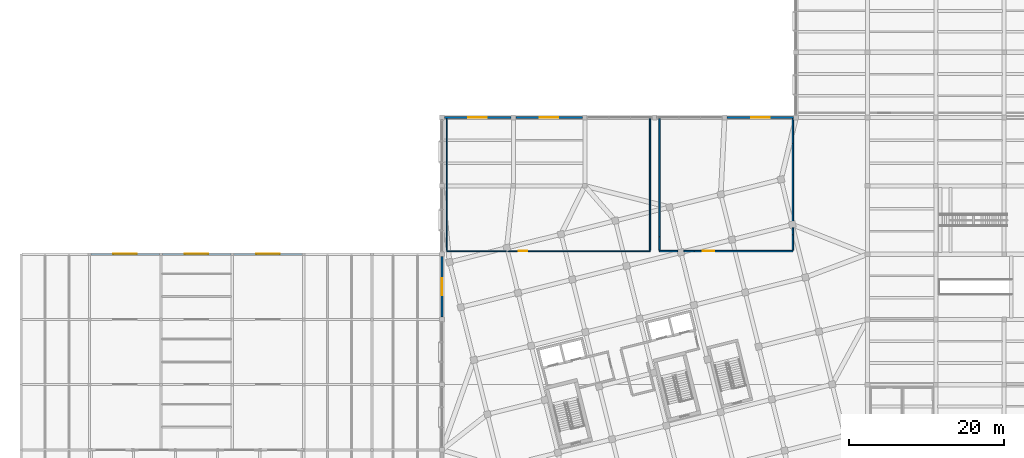
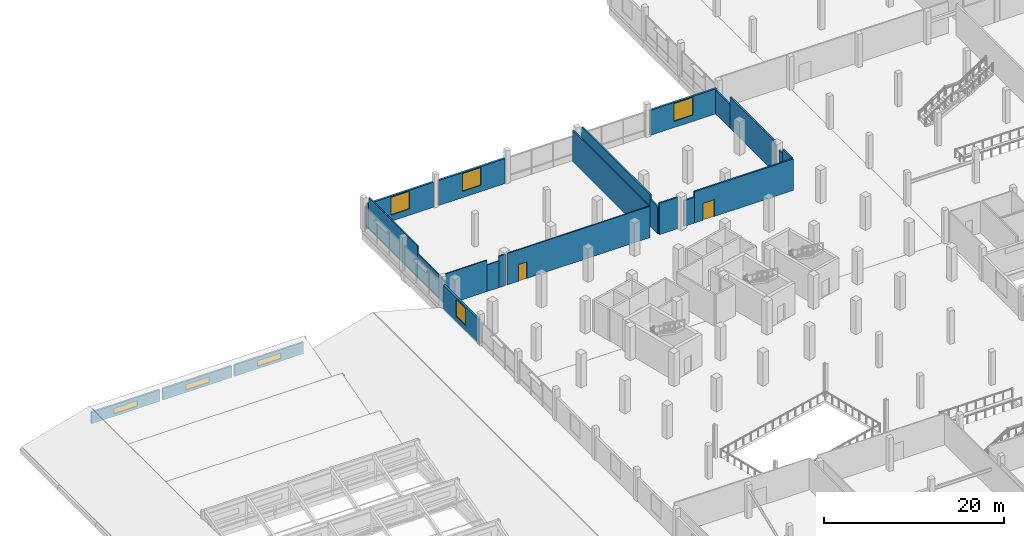
# One storey, part 68 of 77: 23 walls, 7 windows, 2 doors, 9 openings.
"""IFC4 building model written with IfcOpenShell, lengths in metres."""

from ifc_helpers import new_model, si_unit, direction, frame, frame_2d, origin, place, context, subcontext, project, spatial, rectangle, extrude, material, layer, layer_set, type_object, element, fill, save


model = new_model("IFC4")

# Units and contexts
model_context = context("Model", 3, precision=1e-05, world=origin(), true_north=direction((0.0, 1.0)))
body_context = subcontext(model_context, "Body", "Model", "MODEL_VIEW")
ifc_project = project(units=[si_unit("LENGTHUNIT", "METRE"), si_unit("AREAUNIT", "SQUARE_METRE"), si_unit("VOLUMEUNIT", "CUBIC_METRE"), si_unit("PLANEANGLEUNIT", "RADIAN"), si_unit("MASSUNIT", "GRAM", prefix="KILO")], contexts=[model_context])

# Site, building, storey
site_placement = place(None, origin())
site = spatial("IfcSite", under=ifc_project, at=site_placement, CompositionType="ELEMENT")
building_placement = place(site_placement, origin())
building = spatial("IfcBuilding", under=site, at=building_placement, Name="Meriwether Solvik Hall", CompositionType="ELEMENT")
storey_placement = place(building_placement, frame((0.0, 0.0, 9.89990234375)))
storey = spatial("IfcBuildingStorey", under=building, at=storey_placement, Name="L02", CompositionType="ELEMENT", Elevation=9.89990234375)

# Wall, opening, window
ifc_material_1 = material(Name="Terracotta Cladding on Concrete C40/50", Category="masonry")
ifc_layer_1 = layer(ifc_material_1, 0.2548828125)
ifc_layer_set_1 = layer_set([ifc_layer_1], Name="Terracotta Cladding on Concrete C40/50")
wall_type_1 = type_object("IfcWallType", Name="WALL-EXT-255", PredefinedType="SOLIDWALL", material=ifc_layer_set_1)
wall_1_placement = place(storey_placement, frame((59.7119140625, 92.800048828125, 0.0), z_axis=(0.0, 0.0, 1.0), x_axis=(1.0, 0.0, 0.0)))
wall_1 = element("IfcWall", 1, at=wall_1_placement, inside=storey, type_object=wall_type_1, Name="L02 N Wing Facade Wall XK_7_12", PredefinedType="SOLIDWALL", context=body_context, shape_type="SweptSolid", body=[
    extrude(rectangle(XDim=8.576171875, YDim=0.2548828125, at=frame_2d((4.2880859375, 0.0))), origin(), (0.0, 0.0, 1.0), 3.39501953125),
])
opening_1_placement = place(wall_1_placement, frame((3.087890625, 0.0, 0.85009765625)))
opening_1 = element("IfcOpeningElement", 2, at=opening_1_placement, cuts=wall_1, Name="Opening WN-105", PredefinedType="OPENING", context=body_context, shape_type="SweptSolid", body=[
    extrude(rectangle(XDim=2.39990234375, YDim=2.39990234375, at=frame_2d((1.199951171875, 1.199951171875))), frame((0.0, 0.139404296875, 0.0), z_axis=(0.0, -1.0, 0.0), x_axis=(1.0, 0.0, 0.0)), (0.0, 0.0, 1.0), 0.27880859375),
])
ifc_material_2 = material(Name="Thermally Broken Anodised Aluminium and Triple Low-E Glass", Category="aluminium")
window_type_1 = type_object("IfcWindowType", Name="WIN-POD-NORTH-240X240", PartitioningType="SINGLE_PANEL", PredefinedType="WINDOW", material=ifc_material_2)
window_1_placement = place(opening_1_placement, origin())
window_1 = element("IfcWindow", 3, at=window_1_placement, inside=storey, type_object=window_type_1, Name="L02 N Window XK_7_12", OverallHeight=2.39990234375, OverallWidth=2.39990234375, PartitioningType="SINGLE_PANEL", PredefinedType="WINDOW", context=body_context, shape_type="SweptSolid", body=[
    extrude(rectangle(XDim=2.39990234375, YDim=2.39990234375, at=frame_2d((1.199951171875, 1.199951171875))), frame((0.0, 0.030029296875, 0.0), z_axis=(0.0, -1.0, 0.0), x_axis=(1.0, 0.0, 0.0)), (0.0, 0.0, 1.0), 0.06005859375),
])
fill(opening_1, window_1)

wall_2_placement = place(storey_placement, frame((68.912109375, 92.800048828125, 0.0), z_axis=(0.0, 0.0, 1.0), x_axis=(1.0, 0.0, 0.0)))
wall_2 = element("IfcWall", 4, at=wall_2_placement, inside=storey, type_object=wall_type_1, Name="L02 N Wing Facade Wall XK_8_13", PredefinedType="SOLIDWALL", context=body_context, shape_type="SweptSolid", body=[
    extrude(rectangle(XDim=8.575927734375, YDim=0.2548828125, at=frame_2d((4.2880859375, 0.0))), origin(), (0.0, 0.0, 1.0), 3.39501953125),
])
opening_2_placement = place(wall_2_placement, frame((3.087890625, 0.0, 0.85009765625)))
opening_2 = element("IfcOpeningElement", 5, at=opening_2_placement, cuts=wall_2, Name="Opening WN-105", PredefinedType="OPENING", context=body_context, shape_type="SweptSolid", body=[
    extrude(rectangle(XDim=2.39990234375, YDim=2.39990234375, at=frame_2d((1.199951171875, 1.199951171875))), frame((0.0, 0.139404296875, 0.0), z_axis=(0.0, -1.0, 0.0), x_axis=(1.0, 0.0, 0.0)), (0.0, 0.0, 1.0), 0.27880859375),
])
window_2_placement = place(opening_2_placement, origin())
window_2 = element("IfcWindow", 6, at=window_2_placement, inside=storey, type_object=window_type_1, Name="L02 N Window XK_8_13", OverallHeight=2.39990234375, OverallWidth=2.39990234375, PartitioningType="SINGLE_PANEL", PredefinedType="WINDOW", context=body_context, shape_type="SweptSolid", body=[
    extrude(rectangle(XDim=2.39990234375, YDim=2.39990234375, at=frame_2d((1.199951171875, 1.199951171875))), frame((0.0, 0.030029296875, 0.0), z_axis=(0.0, -1.0, 0.0), x_axis=(1.0, 0.0, 0.0)), (0.0, 0.0, 1.0), 0.06005859375),
])
fill(opening_2, window_2)

wall_3_placement = place(storey_placement, frame((96.112060546875, 92.800048828125, 0.0), z_axis=(0.0, 0.0, 1.0), x_axis=(1.0, 0.0, 0.0)))
wall_3 = element("IfcWall", 7, at=wall_3_placement, inside=storey, type_object=wall_type_1, Name="L02 N Wing Facade Wall XK_11_16", PredefinedType="SOLIDWALL", context=body_context, shape_type="SweptSolid", body=[
    extrude(rectangle(XDim=8.575927734375, YDim=0.2548828125, at=frame_2d((4.2880859375, 0.0))), origin(), (0.0, 0.0, 1.0), 3.39501953125),
])
opening_3_placement = place(wall_3_placement, frame((3.087890625, 0.0, 0.85009765625)))
opening_3 = element("IfcOpeningElement", 8, at=opening_3_placement, cuts=wall_3, Name="Opening WN-105", PredefinedType="OPENING", context=body_context, shape_type="SweptSolid", body=[
    extrude(rectangle(XDim=2.39990234375, YDim=2.39990234375, at=frame_2d((1.199951171875, 1.199951171875))), frame((0.0, 0.139404296875, 0.0), z_axis=(0.0, -1.0, 0.0), x_axis=(1.0, 0.0, 0.0)), (0.0, 0.0, 1.0), 0.27880859375),
])
window_3_placement = place(opening_3_placement, origin())
window_3 = element("IfcWindow", 9, at=window_3_placement, inside=storey, type_object=window_type_1, Name="L02 N Window XK_11_16", OverallHeight=2.39990234375, OverallWidth=2.39990234375, PartitioningType="SINGLE_PANEL", PredefinedType="WINDOW", context=body_context, shape_type="SweptSolid", body=[
    extrude(rectangle(XDim=2.39990234375, YDim=2.39990234375, at=frame_2d((1.199951171875, 1.199951171875))), frame((0.0, 0.030029296875, 0.0), z_axis=(0.0, -1.0, 0.0), x_axis=(1.0, 0.0, 0.0)), (0.0, 0.0, 1.0), 0.06005859375),
])
fill(opening_3, window_3)

wall_4_placement = place(storey_placement, frame((59.39990234375, 67.112060546875, 0.0), z_axis=(0.0, 0.0, 1.0), x_axis=(0.0, 1.0, 0.0)))
wall_4 = element("IfcWall", 10, at=wall_4_placement, inside=storey, type_object=wall_type_1, Name="L02 W Wing Facade Wall Y7_8_31", PredefinedType="SOLIDWALL", context=body_context, shape_type="SweptSolid", body=[
    extrude(rectangle(XDim=7.77587890625, YDim=0.2548828125, at=frame_2d((3.887939453125, 0.0))), origin(), (0.0, 0.0, 1.0), 3.39501953125),
])
opening_4_placement = place(wall_4_placement, frame((2.7880859375, 0.0, 0.85009765625)))
opening_4 = element("IfcOpeningElement", 11, at=opening_4_placement, cuts=wall_4, Name="Opening WN-175", PredefinedType="OPENING", context=body_context, shape_type="SweptSolid", body=[
    extrude(rectangle(XDim=2.199951171875, YDim=2.300048828125, at=frame_2d((1.10009765625, 1.14990234375))), frame((0.0, 0.139404296875, 0.0), z_axis=(0.0, -1.0, 0.0), x_axis=(1.0, 0.0, 0.0)), (0.0, 0.0, 1.0), 0.27880859375),
])
ifc_material_3 = material(Name="Thermally Broken Anodised Aluminium and Triple Low-E Glass", Category="aluminium")
window_type_2 = type_object("IfcWindowType", Name="WIN-POD-WEST-220X230", PartitioningType="SINGLE_PANEL", PredefinedType="WINDOW", material=ifc_material_3)
window_4_placement = place(opening_4_placement, origin())
window_4 = element("IfcWindow", 12, at=window_4_placement, inside=storey, type_object=window_type_2, Name="L02 W Window Y7_8_31", OverallHeight=2.300048828125, OverallWidth=2.199951171875, PartitioningType="SINGLE_PANEL", PredefinedType="WINDOW", context=body_context, shape_type="SweptSolid", body=[
    extrude(rectangle(XDim=2.199951171875, YDim=2.300048828125, at=frame_2d((1.10009765625, 1.14990234375))), frame((0.0, 0.030029296875, 0.0), z_axis=(0.0, -1.0, 0.0), x_axis=(1.0, 0.0, 0.0)), (0.0, 0.0, 1.0), 0.06005859375),
])
fill(opening_4, window_4)

# Walls
ifc_material_4 = material(Name="Fire-Rated Type X Gypsum Board", Category="gypsum")
ifc_layer_2 = layer(ifc_material_4, 0.199951171875)
ifc_layer_set_2 = layer_set([ifc_layer_2], Name="Fire-Rated Type X Gypsum Board")
wall_type_2 = type_object("IfcWallType", Name="WALL-FIRE-200", PredefinedType="STANDARD", material=ifc_layer_set_2)
wall_5_placement = place(storey_placement, frame((87.39990234375, 75.60009765625, 0.0), z_axis=(0.0, 0.0, 1.0), x_axis=(1.0, 0.0, 0.0)))
element("IfcWall", 13, at=wall_5_placement, inside=storey, type_object=wall_type_2, Name="L02 Interior Partition lib_arch_s", PredefinedType="STANDARD", context=body_context, shape_type="SweptSolid", body=[
    extrude(rectangle(XDim=2.352294921875, YDim=0.199951171875, at=frame_2d((1.17626953125, 0.0))), origin(), (0.0, 0.0, 1.0), 4.255126953125),
])
wall_6_placement = place(storey_placement, frame((90.565673828125, 75.60009765625, 0.0), z_axis=(0.0, 0.0, 1.0), x_axis=(1.0, 0.0, 0.0)))
element("IfcWall", 14, at=wall_6_placement, inside=storey, type_object=wall_type_2, Name="L02 Interior Partition lib_arch_s_s2", PredefinedType="STANDARD", context=body_context, shape_type="SweptSolid", body=[
    extrude(rectangle(XDim=1.3173828125, YDim=0.199951171875, at=frame_2d((0.65869140625, 0.0))), origin(), (0.0, 0.0, 1.0), 3.4951171875),
])

# Wall, opening, door
wall_7_placement = place(storey_placement, frame((91.883056640625, 75.60009765625, 0.0), z_axis=(0.0, 0.0, 1.0), x_axis=(1.0, 0.0, 0.0)))
wall_7 = element("IfcWall", 15, at=wall_7_placement, inside=storey, type_object=wall_type_2, Name="L02 Interior Partition lib_arch_s_s3", PredefinedType="STANDARD", context=body_context, shape_type="SweptSolid", body=[
    extrude(rectangle(XDim=12.717041015625, YDim=0.199951171875, at=frame_2d((6.3583984375, 0.0))), origin(), (0.0, 0.0, 1.0), 4.255126953125),
])
opening_5_placement = place(wall_7_placement, frame((1.078857421875, 0.0, 0.0)))
opening_5 = element("IfcOpeningElement", 16, at=opening_5_placement, cuts=wall_7, Name="Opening D-113", PredefinedType="OPENING", context=body_context, shape_type="SweptSolid", body=[
    extrude(rectangle(XDim=1.5, YDim=2.300048828125, at=frame_2d((0.75, 1.14990234375))), frame((0.0, 0.11181640625, 0.0), z_axis=(0.0, -1.0, 0.0), x_axis=(1.0, 0.0, 0.0)), (0.0, 0.0, 1.0), 0.223876953125),
])
ifc_material_5 = material(Name="Steel A36 Galvanised", Category="steel")
door_type_1 = type_object("IfcDoorType", Name="DR-FD60-1500", OperationType="DOUBLE_DOOR_SINGLE_SWING", PredefinedType="DOOR", material=ifc_material_5)
door_1_placement = place(opening_5_placement, origin())
door_1 = element("IfcDoor", 17, at=door_1_placement, inside=storey, type_object=door_type_1, Name="Rare Periodicals and Civic Archive Room Door", OperationType="DOUBLE_DOOR_SINGLE_SWING", OverallHeight=2.300048828125, OverallWidth=1.5, PredefinedType="DOOR", context=body_context, shape_type="SweptSolid", body=[
    extrude(rectangle(XDim=1.5, YDim=2.300048828125, at=frame_2d((0.75, 1.14990234375))), frame((0.0, 0.02490234375, 0.0), z_axis=(0.0, -1.0, 0.0), x_axis=(1.0, 0.0, 0.0)), (0.0, 0.0, 1.0), 0.050048828125),
])
fill(opening_5, door_1)

# Walls
wall_8_placement = place(storey_placement, frame((104.60009765625, 75.719970703125, 0.0), z_axis=(0.0, 0.0, 1.0), x_axis=(0.0, 1.0, 0.0)))
element("IfcWall", 18, at=wall_8_placement, inside=storey, type_object=wall_type_2, Name="L02 Interior Partition lib_arch_e", PredefinedType="STANDARD", context=body_context, shape_type="SweptSolid", body=[
    extrude(rectangle(XDim=2.00341796875, YDim=0.199951171875, at=frame_2d((1.001708984375, 0.0))), origin(), (0.0, 0.0, 1.0), 4.255126953125),
])
wall_9_placement = place(storey_placement, frame((104.60009765625, 77.723388671875, 0.0), z_axis=(0.0, 0.0, 1.0), x_axis=(0.0, 1.0, 0.0)))
element("IfcWall", 19, at=wall_9_placement, inside=storey, type_object=wall_type_2, Name="L02 Interior Partition lib_arch_e_s2", PredefinedType="STANDARD", context=body_context, shape_type="SweptSolid", body=[
    extrude(rectangle(XDim=0.857421875, YDim=0.199951171875, at=frame_2d((0.4287109375, 0.0))), origin(), (0.0, 0.0, 1.0), 3.64501953125),
])
wall_10_placement = place(storey_placement, frame((104.60009765625, 79.44482421875, 0.0), z_axis=(0.0, 0.0, 1.0), x_axis=(0.0, 1.0, 0.0)))
element("IfcWall", 20, at=wall_10_placement, inside=storey, type_object=wall_type_2, Name="L02 Interior Partition lib_arch_e_s3", PredefinedType="STANDARD", context=body_context, shape_type="SweptSolid", body=[
    extrude(rectangle(XDim=10.021484375, YDim=0.199951171875, at=frame_2d((5.0107421875, 0.0))), origin(), (0.0, 0.0, 1.0), 4.255126953125),
])
wall_11_placement = place(storey_placement, frame((104.60009765625, 89.46630859375, 0.0), z_axis=(0.0, 0.0, 1.0), x_axis=(0.0, 1.0, 0.0)))
element("IfcWall", 21, at=wall_11_placement, inside=storey, type_object=wall_type_2, Name="L02 Interior Partition lib_arch_e_s4", PredefinedType="STANDARD", context=body_context, shape_type="SweptSolid", body=[
    extrude(rectangle(XDim=3.153076171875, YDim=0.199951171875, at=frame_2d((1.57666015625, 0.0))), origin(), (0.0, 0.0, 1.0), 3.205078125),
])
wall_12_placement = place(storey_placement, frame((87.39990234375, 92.64990234375, 0.0), z_axis=(0.0, 0.0, 1.0), x_axis=(0.0, -1.0, 0.0)))
element("IfcWall", 22, at=wall_12_placement, inside=storey, type_object=wall_type_2, Name="L02 Interior Partition lib_arch_w", PredefinedType="STANDARD", context=body_context, shape_type="SweptSolid", body=[
    extrude(rectangle(XDim=15.213134765625, YDim=0.199951171875, at=frame_2d((7.6064453125, 0.0))), origin(), (0.0, 0.0, 1.0), 4.255126953125),
])
wall_13_placement = place(storey_placement, frame((87.39990234375, 77.436767578125, 0.0), z_axis=(0.0, 0.0, 1.0), x_axis=(0.0, -1.0, 0.0)))
element("IfcWall", 23, at=wall_13_placement, inside=storey, type_object=wall_type_2, Name="L02 Interior Partition lib_arch_w_s2", PredefinedType="STANDARD", context=body_context, shape_type="SweptSolid", body=[
    extrude(rectangle(XDim=1.716796875, YDim=0.199951171875, at=frame_2d((0.8583984375, 0.0))), origin(), (0.0, 0.0, 1.0), 3.68505859375),
])

# Wall, opening, window
ifc_material_6 = material(Name="Cross-Laminated Timber and Polyisocyanurate Insulation", Category="wood")
ifc_layer_3 = layer(ifc_material_6, 0.22998046875)
ifc_layer_set_3 = layer_set([ifc_layer_3], Name="Cross-Laminated Timber and Polyisocyanurate Insulation")
wall_type_3 = type_object("IfcWallType", Name="WALL-MON-230", PredefinedType="SOLIDWALL", material=ifc_layer_set_3)
wall_14_placement = place(storey_placement, frame((23.010009765625, 75.199951171875, 0.175048828125), z_axis=(0.0, 0.0, 1.0), x_axis=(-1.0, 0.0, 0.0)))
wall_14 = element("IfcWall", 24, at=wall_14_placement, inside=storey, type_object=wall_type_3, Name="Sawtooth Monitor Clerestory Wall w1_north_s3_b1", PredefinedType="SOLIDWALL", context=body_context, shape_type="SweptSolid", body=[
    extrude(rectangle(XDim=8.820068359375, YDim=0.22998046875, at=frame_2d((4.41015625, 0.0))), origin(), (0.0, 0.0, 1.0), 1.555908203125),
])
opening_6_placement = place(wall_14_placement, frame((2.909912109375, 0.0, 0.35009765625)))
opening_6 = element("IfcOpeningElement", 25, at=opening_6_placement, cuts=wall_14, Name="Opening SK-164", PredefinedType="OPENING", context=body_context, shape_type="SweptSolid", body=[
    extrude(rectangle(XDim=3.0, YDim=0.75, at=frame_2d((1.5, 0.375))), frame((0.0, 0.126953125, 0.0), z_axis=(0.0, -1.0, 0.0), x_axis=(1.0, 0.0, 0.0)), (0.0, 0.0, 1.0), 0.25390625),
])
ifc_material_7 = material(Name="Thermally Broken Anodised Aluminium and Triple Low-E Glass", Category="aluminium")
window_type_3 = type_object("IfcWindowType", Name="SKY-MON-300X075", PartitioningType="SINGLE_PANEL", PredefinedType="SKYLIGHT", material=ifc_material_7)
window_5_placement = place(opening_6_placement, origin())
window_5 = element("IfcWindow", 26, at=window_5_placement, inside=storey, type_object=window_type_3, Name="Sawtooth Northlight Skylight w1_north_s3_b1-1", OverallHeight=0.75, OverallWidth=3.0, PartitioningType="SINGLE_PANEL", PredefinedType="SKYLIGHT", context=body_context, shape_type="SweptSolid", body=[
    extrude(rectangle(XDim=3.0, YDim=0.75, at=frame_2d((1.5, 0.375))), frame((0.0, 0.030029296875, 0.0), z_axis=(0.0, -1.0, 0.0), x_axis=(1.0, 0.0, 0.0)), (0.0, 0.0, 1.0), 0.06005859375),
])
fill(opening_6, window_5)

wall_15_placement = place(storey_placement, frame((32.2099609375, 75.199951171875, 0.175048828125), z_axis=(0.0, 0.0, 1.0), x_axis=(-1.0, 0.0, 0.0)))
wall_15 = element("IfcWall", 27, at=wall_15_placement, inside=storey, type_object=wall_type_3, Name="Sawtooth Monitor Clerestory Wall w1_north_s3_b2", PredefinedType="SOLIDWALL", context=body_context, shape_type="SweptSolid", body=[
    extrude(rectangle(XDim=8.820068359375, YDim=0.22998046875, at=frame_2d((4.41015625, 0.0))), origin(), (0.0, 0.0, 1.0), 1.555908203125),
])
opening_7_placement = place(wall_15_placement, frame((2.909912109375, 0.0, 0.35009765625)))
opening_7 = element("IfcOpeningElement", 28, at=opening_7_placement, cuts=wall_15, Name="Opening SK-164", PredefinedType="OPENING", context=body_context, shape_type="SweptSolid", body=[
    extrude(rectangle(XDim=3.0, YDim=0.75, at=frame_2d((1.5, 0.375))), frame((0.0, 0.126953125, 0.0), z_axis=(0.0, -1.0, 0.0), x_axis=(1.0, 0.0, 0.0)), (0.0, 0.0, 1.0), 0.25390625),
])
window_6_placement = place(opening_7_placement, origin())
window_6 = element("IfcWindow", 29, at=window_6_placement, inside=storey, type_object=window_type_3, Name="Sawtooth Northlight Skylight w1_north_s3_b2-1", OverallHeight=0.75, OverallWidth=3.0, PartitioningType="SINGLE_PANEL", PredefinedType="SKYLIGHT", context=body_context, shape_type="SweptSolid", body=[
    extrude(rectangle(XDim=3.0, YDim=0.75, at=frame_2d((1.5, 0.375))), frame((0.0, 0.030029296875, 0.0), z_axis=(0.0, -1.0, 0.0), x_axis=(1.0, 0.0, 0.0)), (0.0, 0.0, 1.0), 0.06005859375),
])
fill(opening_7, window_6)

wall_16_placement = place(storey_placement, frame((41.409912109375, 75.199951171875, 0.175048828125), z_axis=(0.0, 0.0, 1.0), x_axis=(-1.0, 0.0, 0.0)))
wall_16 = element("IfcWall", 30, at=wall_16_placement, inside=storey, type_object=wall_type_3, Name="Sawtooth Monitor Clerestory Wall w1_north_s3_b3", PredefinedType="SOLIDWALL", context=body_context, shape_type="SweptSolid", body=[
    extrude(rectangle(XDim=8.81982421875, YDim=0.22998046875, at=frame_2d((4.409912109375, 0.0))), origin(), (0.0, 0.0, 1.0), 1.555908203125),
])
opening_8_placement = place(wall_16_placement, frame((2.909912109375, 0.0, 0.35009765625)))
opening_8 = element("IfcOpeningElement", 31, at=opening_8_placement, cuts=wall_16, Name="Opening SK-164", PredefinedType="OPENING", context=body_context, shape_type="SweptSolid", body=[
    extrude(rectangle(XDim=3.0, YDim=0.75, at=frame_2d((1.5, 0.375))), frame((0.0, 0.126953125, 0.0), z_axis=(0.0, -1.0, 0.0), x_axis=(1.0, 0.0, 0.0)), (0.0, 0.0, 1.0), 0.25390625),
])
window_7_placement = place(opening_8_placement, origin())
window_7 = element("IfcWindow", 32, at=window_7_placement, inside=storey, type_object=window_type_3, Name="Sawtooth Northlight Skylight w1_north_s3_b3-1", OverallHeight=0.75, OverallWidth=3.0, PartitioningType="SINGLE_PANEL", PredefinedType="SKYLIGHT", context=body_context, shape_type="SweptSolid", body=[
    extrude(rectangle(XDim=3.0, YDim=0.75, at=frame_2d((1.5, 0.375))), frame((0.0, 0.030029296875, 0.0), z_axis=(0.0, -1.0, 0.0), x_axis=(1.0, 0.0, 0.0)), (0.0, 0.0, 1.0), 0.06005859375),
])
fill(opening_8, window_7)

# Walls
ifc_material_8 = material(Name="Gypsum Board Partition", Category="gypsum")
ifc_layer_4 = layer(ifc_material_8, 0.14990234375)
ifc_layer_set_4 = layer_set([ifc_layer_4], Name="Gypsum Board Partition")
wall_type_4 = type_object("IfcWallType", Name="WALL-PART-150", PredefinedType="PARTITIONING", material=ifc_layer_set_4)
wall_17_placement = place(storey_placement, frame((60.0, 75.60009765625, 0.0), z_axis=(0.0, 0.0, 1.0), x_axis=(1.0, 0.0, 0.0)))
element("IfcWall", 33, at=wall_17_placement, inside=storey, type_object=wall_type_4, Name="L02 Interior Partition cls_203_s", PredefinedType="PARTITIONING", context=body_context, shape_type="SweptSolid", body=[
    extrude(rectangle(XDim=5.27001953125, YDim=0.14990234375, at=frame_2d((2.635009765625, 0.0))), origin(), (0.0, 0.0, 1.0), 4.255126953125),
])
wall_18_placement = place(storey_placement, frame((65.27001953125, 75.60009765625, 0.0), z_axis=(0.0, 0.0, 1.0), x_axis=(1.0, 0.0, 0.0)))
element("IfcWall", 34, at=wall_18_placement, inside=storey, type_object=wall_type_4, Name="L02 Interior Partition cls_203_s_s2", PredefinedType="PARTITIONING", context=body_context, shape_type="SweptSolid", body=[
    extrude(rectangle(XDim=1.519287109375, YDim=0.14990234375, at=frame_2d((0.759765625, 0.0))), origin(), (0.0, 0.0, 1.0), 3.610107421875),
])
wall_19_placement = place(storey_placement, frame((66.789306640625, 75.60009765625, 0.0), z_axis=(0.0, 0.0, 1.0), x_axis=(1.0, 0.0, 0.0)))
element("IfcWall", 35, at=wall_19_placement, inside=storey, type_object=wall_type_4, Name="L02 Interior Partition cls_203_s_s3", PredefinedType="PARTITIONING", context=body_context, shape_type="SweptSolid", body=[
    extrude(rectangle(XDim=0.8642578125, YDim=0.14990234375, at=frame_2d((0.43212890625, 0.0))), origin(), (0.0, 0.0, 1.0), 4.255126953125),
])

# Wall, opening, door
wall_20_placement = place(storey_placement, frame((67.84423828125, 75.60009765625, 0.0), z_axis=(0.0, 0.0, 1.0), x_axis=(1.0, 0.0, 0.0)))
wall_20 = element("IfcWall", 36, at=wall_20_placement, inside=storey, type_object=wall_type_4, Name="L02 Interior Partition cls_203_s_s4", PredefinedType="PARTITIONING", context=body_context, shape_type="SweptSolid", body=[
    extrude(rectangle(XDim=18.355712890625, YDim=0.14990234375, at=frame_2d((9.177734375, 0.0))), origin(), (0.0, 0.0, 1.0), 4.255126953125),
])
opening_9_placement = place(wall_20_placement, frame((1.43310546875, 0.0, 0.0)))
opening_9 = element("IfcOpeningElement", 37, at=opening_9_placement, cuts=wall_20, Name="Opening D-134", PredefinedType="OPENING", context=body_context, shape_type="SweptSolid", body=[
    extrude(rectangle(XDim=1.10009765625, YDim=2.25, at=frame_2d((0.550048828125, 1.125))), frame((0.0, 0.0869140625, 0.0), z_axis=(0.0, -1.0, 0.0), x_axis=(1.0, 0.0, 0.0)), (0.0, 0.0, 1.0), 0.173828125),
])
ifc_material_9 = material(Name="Laminated Vision Glass and Solid White Oak Timber", Category="wood")
door_type_2 = type_object("IfcDoorType", Name="DR-CLS-1100L", OperationType="SINGLE_SWING_LEFT", PredefinedType="DOOR", material=ifc_material_9)
door_2_placement = place(opening_9_placement, origin())
door_2 = element("IfcDoor", 38, at=door_2_placement, inside=storey, type_object=door_type_2, Name="Adult ESL Classroom 203 Door", OperationType="SINGLE_SWING_LEFT", OverallHeight=2.25, OverallWidth=1.10009765625, PredefinedType="DOOR", context=body_context, shape_type="SweptSolid", body=[
    extrude(rectangle(XDim=1.10009765625, YDim=2.25, at=frame_2d((0.550048828125, 1.125))), frame((0.0, 0.02490234375, 0.0), z_axis=(0.0, -1.0, 0.0), x_axis=(1.0, 0.0, 0.0)), (0.0, 0.0, 1.0), 0.050048828125),
])
fill(opening_9, door_2)

# Walls
wall_21_placement = place(storey_placement, frame((86.199951171875, 75.719970703125, 0.0), z_axis=(0.0, 0.0, 1.0), x_axis=(0.0, 1.0, 0.0)))
element("IfcWall", 39, at=wall_21_placement, inside=storey, type_object=wall_type_4, Name="L02 Interior Partition cls_203_e", PredefinedType="PARTITIONING", context=body_context, shape_type="SweptSolid", body=[
    extrude(rectangle(XDim=16.929931640625, YDim=0.14990234375, at=frame_2d((8.46484375, 0.0))), origin(), (0.0, 0.0, 1.0), 4.255126953125),
])
wall_22_placement = place(storey_placement, frame((60.0, 92.64990234375, 0.0), z_axis=(0.0, 0.0, 1.0), x_axis=(0.0, -1.0, 0.0)))
element("IfcWall", 40, at=wall_22_placement, inside=storey, type_object=wall_type_4, Name="L02 Interior Partition cls_203_w", PredefinedType="PARTITIONING", context=body_context, shape_type="SweptSolid", body=[
    extrude(rectangle(XDim=10.899658203125, YDim=0.14990234375, at=frame_2d((5.44970703125, 0.0))), origin(), (0.0, 0.0, 1.0), 4.255126953125),
])
wall_23_placement = place(storey_placement, frame((60.0, 81.750244140625, 0.0), z_axis=(0.0, 0.0, 1.0), x_axis=(0.0, -1.0, 0.0)))
element("IfcWall", 41, at=wall_23_placement, inside=storey, type_object=wall_type_4, Name="L02 Interior Partition cls_203_w_s2", PredefinedType="PARTITIONING", context=body_context, shape_type="SweptSolid", body=[
    extrude(rectangle(XDim=6.0302734375, YDim=0.14990234375, at=frame_2d((3.01513671875, 0.0))), origin(), (0.0, 0.0, 1.0), 3.205078125),
])

save(model, "model.ifc")
